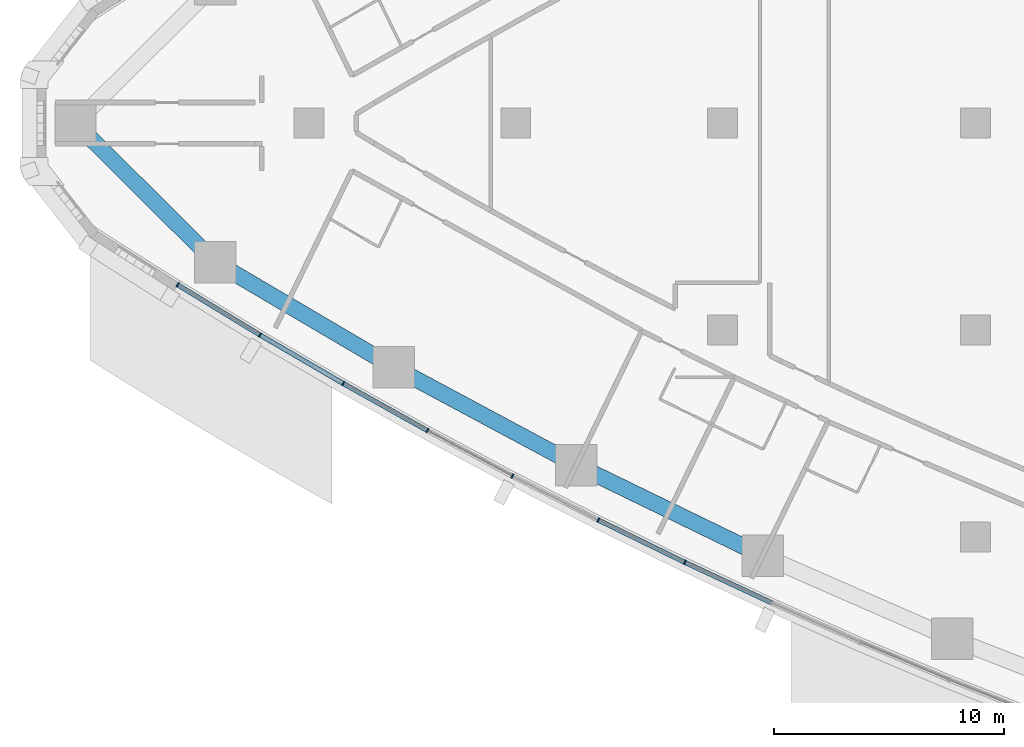
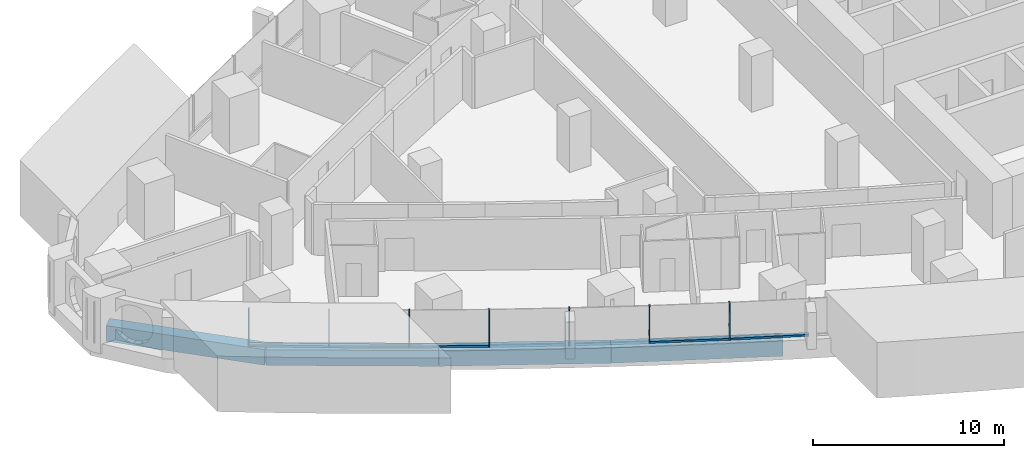
# One storey, part 2 of 19: 12 members, 4 beams, 3 elements without a shape of their own.
"""IFC4 building model written with IfcOpenShell, lengths in metres."""

from ifc_helpers import new_model, si_unit, direction, frame, origin, origin_2d, place, context, subcontext, project, spatial, rectangle, extrude, material, layer, layer_set, material_profile, profile_set, type_object, element, aggregate, save


model = new_model("IFC4")

# Units and contexts
model_context = context("Model", 3, precision=1e-05, world=origin(), true_north=direction((0.0, 1.0)))
body_context = subcontext(model_context, "Body", "Model", "MODEL_VIEW")
ifc_project = project(units=[si_unit("LENGTHUNIT", "METRE"), si_unit("AREAUNIT", "SQUARE_METRE"), si_unit("VOLUMEUNIT", "CUBIC_METRE"), si_unit("PLANEANGLEUNIT", "RADIAN"), si_unit("MASSUNIT", "GRAM", prefix="KILO")], contexts=[model_context])

# Site, building, storey
site_placement = place(None, origin())
site = spatial("IfcSite", under=ifc_project, at=site_placement, CompositionType="ELEMENT")
building_placement = place(site_placement, origin())
building = spatial("IfcBuilding", under=site, at=building_placement, Name="Ostrand Prow Hotel Tower", CompositionType="ELEMENT")
storey_placement = place(building_placement, frame((0.0, 0.0, 43.14990234375)))
storey = spatial("IfcBuildingStorey", under=building, at=storey_placement, Name="L08", CompositionType="ELEMENT", Elevation=43.14990234375)

# Beams
ifc_material_1 = material(Name="Concrete C80/95", Category="concrete")
ifc_material_profile_1 = material_profile(ifc_material_1, rectangle(XDim=0.699951171875, YDim=1.0, at=origin_2d()), Name="RC 700x1000")
ifc_profile_set_1 = profile_set([ifc_material_profile_1], Name="Concrete C80/95")
beam_type = type_object("IfcBeamType", Name="Edge beam 700x1000 C80/95", PredefinedType="SPANDREL", material=ifc_profile_set_1)
beam_1_placement = place(storey_placement, frame((5.848388671875, 0.0, -0.7998046875), z_axis=(0.709211674915, -0.70499560294, 0.0), x_axis=(0.70499560294, 0.709211674915, 0.0)))
element("IfcBeam", 1, at=beam_1_placement, inside=storey, type_object=beam_type, Name="Edge beam P-S1", PredefinedType="SPANDREL", context=body_context, shape_type="SweptSolid", body=[
    extrude(rectangle(XDim=0.699951171875, YDim=1.0, at=origin_2d()), origin(), (0.0, 0.0, 1.0), 8.5703125),
])
beam_2_placement = place(storey_placement, frame((11.926513671875, -6.0419921875, -0.7998046875), z_axis=(0.861725230108, -0.507375233722, 0.0), x_axis=(0.507375233722, 0.861725230108, 0.0)))
element("IfcBeam", 2, at=beam_2_placement, inside=storey, type_object=beam_type, Name="Edge beam S1-S2", PredefinedType="SPANDREL", context=body_context, shape_type="SweptSolid", body=[
    extrude(rectangle(XDim=0.699951171875, YDim=1.0, at=origin_2d()), origin(), (0.0, 0.0, 1.0), 9.012451171875),
])
beam_3_placement = place(storey_placement, frame((19.69287109375, -10.61474609375, -0.7998046875), z_axis=(0.881270074696, -0.472613008122, 0.0), x_axis=(0.472613008122, 0.881270074696, 0.0)))
element("IfcBeam", 3, at=beam_3_placement, inside=storey, type_object=beam_type, Name="Edge beam S2-S3", PredefinedType="SPANDREL", context=body_context, shape_type="SweptSolid", body=[
    extrude(rectangle(XDim=0.699951171875, YDim=1.0, at=origin_2d()), origin(), (0.0, 0.0, 1.0), 9.0126953125),
])
beam_4_placement = place(storey_placement, frame((27.635498046875, -14.874267578125, -0.7998046875), z_axis=(0.899382499202, -0.437162578601, 0.0), x_axis=(0.437162578601, 0.899382499202, 0.0)))
element("IfcBeam", 4, at=beam_4_placement, inside=storey, type_object=beam_type, Name="Edge beam S3-S4", PredefinedType="SPANDREL", context=body_context, shape_type="SweptSolid", body=[
    extrude(rectangle(XDim=0.699951171875, YDim=1.0, at=origin_2d()), origin(), (0.0, 0.0, 1.0), 9.012451171875),
])

# Curtain wall, members
ifc_material_2 = material(Name="Insulated glass in bronze anodised frame", Category="glass")
ifc_layer = layer(ifc_material_2, 0.199951171875)
ifc_layer_set = layer_set([ifc_layer], Name="Insulated glass in bronze anodised frame")
curtain_wall_type = type_object("IfcCurtainWallType", Name="Strip curtain wall, fritted glass over bronze spandrel", PredefinedType="NOTDEFINED", material=ifc_layer_set)
curtain_wall_1_placement = place(storey_placement, origin())
curtain_wall_1 = element("IfcCurtainWall", 5, at=curtain_wall_1_placement, inside=storey, type_object=curtain_wall_type, Name="CW1 run CWS1", PredefinedType="NOTDEFINED")
ifc_material_3 = material(Name="Bronze anodised aluminium", Category="aluminium")
ifc_material_profile_2 = material_profile(ifc_material_3, rectangle(XDim=0.199951171875, YDim=0.06005859375, at=origin_2d()), Name="Mullion 60x200 bronze anodised aluminium")
ifc_profile_set_2 = profile_set([ifc_material_profile_2], Name="Bronze anodised aluminium")
member_type_1 = type_object("IfcMemberType", Name="Mullion 60x200 bronze anodised aluminium", PredefinedType="MULLION", material=ifc_profile_set_2)
member_1_placement = place(storey_placement, frame((10.29443359375, -7.031494140625, 0.900146484375), z_axis=(0.0, 0.0, 1.0), x_axis=(0.519830761515, 0.854269266322, 0.0)))
member_1 = element("IfcMember", 6, at=member_1_placement, type_object=member_type_1, Name="CW1 mullion 1", PredefinedType="MULLION", context=body_context, shape_type="SweptSolid", body=[
    extrude(rectangle(XDim=0.199951171875, YDim=0.06005859375, at=origin_2d()), origin(), (0.0, 0.0, 1.0), 2.349853515625),
])
member_2_placement = place(storey_placement, frame((13.87744140625, -9.2119140625, 0.900146484375), z_axis=(0.0, 0.0, 1.0), x_axis=(0.50402272292, 0.863690392896, 0.0)))
member_2 = element("IfcMember", 7, at=member_2_placement, type_object=member_type_1, Name="CW1 mullion 2", PredefinedType="MULLION", context=body_context, shape_type="SweptSolid", body=[
    extrude(rectangle(XDim=0.199951171875, YDim=0.06005859375, at=origin_2d()), origin(), (0.0, 0.0, 1.0), 2.349853515625),
])
member_3_placement = place(storey_placement, frame((17.5, -11.325927734375, 0.900146484375), z_axis=(0.0, 0.0, 1.0), x_axis=(0.50402272292, 0.863690392896, 0.0)))
member_3 = element("IfcMember", 8, at=member_3_placement, type_object=member_type_1, Name="CW1 mullion 3", PredefinedType="MULLION", context=body_context, shape_type="SweptSolid", body=[
    extrude(rectangle(XDim=0.199951171875, YDim=0.06005859375, at=origin_2d()), origin(), (0.0, 0.0, 1.0), 2.349853515625),
])

curtain_wall_2_placement = place(storey_placement, origin())
curtain_wall_2 = element("IfcCurtainWall", 9, at=curtain_wall_2_placement, inside=storey, type_object=curtain_wall_type, Name="CW1 run CWS2", PredefinedType="NOTDEFINED")
member_4_placement = place(storey_placement, frame((21.160888671875, -13.372802734375, 0.900146484375), z_axis=(0.0, 0.0, 1.0), x_axis=(0.471899992481, 0.881652083929, 0.0)))
member_4 = element("IfcMember", 10, at=member_4_placement, type_object=member_type_1, Name="CW1 mullion 2", PredefinedType="MULLION", context=body_context, shape_type="SweptSolid", body=[
    extrude(rectangle(XDim=0.199951171875, YDim=0.06005859375, at=origin_2d()), origin(), (0.0, 0.0, 1.0), 2.349853515625),
])
member_5_placement = place(storey_placement, frame((24.858642578125, -15.35205078125, 0.900146484375), z_axis=(0.0, 0.0, 1.0), x_axis=(0.455596179055, 0.890186565631, 0.0)))
member_5 = element("IfcMember", 11, at=member_5_placement, type_object=member_type_1, Name="CW1 mullion 3", PredefinedType="MULLION", context=body_context, shape_type="SweptSolid", body=[
    extrude(rectangle(XDim=0.199951171875, YDim=0.06005859375, at=origin_2d()), origin(), (0.0, 0.0, 1.0), 2.349853515625),
])
member_6_placement = place(storey_placement, frame((28.59228515625, -17.262939453125, 0.900146484375), z_axis=(0.0, 0.0, 1.0), x_axis=(0.455596179055, 0.890186565631, 0.0)))
member_6 = element("IfcMember", 12, at=member_6_placement, type_object=member_type_1, Name="CW1 mullion 4", PredefinedType="MULLION", context=body_context, shape_type="SweptSolid", body=[
    extrude(rectangle(XDim=0.199951171875, YDim=0.06005859375, at=origin_2d()), origin(), (0.0, 0.0, 1.0), 2.349853515625),
])

# Curtain wall, member
curtain_wall_3_placement = place(storey_placement, origin())
curtain_wall_3 = element("IfcCurtainWall", 13, at=curtain_wall_3_placement, inside=storey, type_object=curtain_wall_type, Name="CW1 run CWS3", PredefinedType="NOTDEFINED")
member_7_placement = place(storey_placement, frame((32.360595703125, -19.10498046875, 0.900146484375), z_axis=(0.0, 0.0, 1.0), x_axis=(0.422529678615, 0.906349088757, 0.0)))
member_7 = element("IfcMember", 14, at=member_7_placement, type_object=member_type_1, Name="CW1 mullion 2", PredefinedType="MULLION", context=body_context, shape_type="SweptSolid", body=[
    extrude(rectangle(XDim=0.199951171875, YDim=0.06005859375, at=origin_2d()), origin(), (0.0, 0.0, 1.0), 2.349853515625),
])

# Member
ifc_material_4 = material(Name="Bronze anodised aluminium", Category="aluminium")
ifc_material_profile_3 = material_profile(ifc_material_4, rectangle(XDim=0.199951171875, YDim=0.1201171875, at=origin_2d()), Name="Transom 120x200 bronze anodised aluminium")
ifc_profile_set_3 = profile_set([ifc_material_profile_3], Name="Bronze anodised aluminium")
member_type_2 = type_object("IfcMemberType", Name="Transom 120x200 bronze anodised aluminium", PredefinedType="USERDEFINED", material=ifc_profile_set_3)
member_8_placement = place(storey_placement, frame((10.320068359375, -7.047119140625, 0.960205078125), z_axis=(0.8542612678, -0.519843905741, 0.0), x_axis=(0.519843905741, 0.8542612678, 0.0)))
member_8 = element("IfcMember", 15, at=member_8_placement, type_object=member_type_2, Name="CW1 transom 1.1", ObjectType="TRANSOM", PredefinedType="USERDEFINED", context=body_context, shape_type="SweptSolid", body=[
    extrude(rectangle(XDim=0.199951171875, YDim=0.1201171875, at=origin_2d()), origin(), (0.0, 0.0, 1.0), 4.13427734375),
])

member_9_placement = place(storey_placement, frame((13.9033203125, -9.22705078125, 0.960205078125), z_axis=(0.863697501622, -0.504010541251, 0.0), x_axis=(0.504010541251, 0.863697501622, 0.0)))
member_9 = element("IfcMember", 16, at=member_9_placement, type_object=member_type_2, Name="CW1 transom 2.1", ObjectType="TRANSOM", PredefinedType="USERDEFINED", context=body_context, shape_type="SweptSolid", body=[
    extrude(rectangle(XDim=0.199951171875, YDim=0.1201171875, at=origin_2d()), origin(), (0.0, 0.0, 1.0), 4.13427734375),
])

aggregate(curtain_wall_1, [member_1, member_2, member_3, member_8, member_9])

member_10_placement = place(storey_placement, frame((17.526123046875, -11.340576171875, 0.960205078125), z_axis=(0.872842137405, -0.488002667175, 0.0), x_axis=(0.488002667175, 0.872842137405, 0.0)))
member_10 = element("IfcMember", 17, at=member_10_placement, type_object=member_type_2, Name="CW1 transom 1.1", ObjectType="TRANSOM", PredefinedType="USERDEFINED", context=body_context, shape_type="SweptSolid", body=[
    extrude(rectangle(XDim=0.199951171875, YDim=0.1201171875, at=origin_2d()), origin(), (0.0, 0.0, 1.0), 4.13427734375),
])

aggregate(curtain_wall_2, [member_4, member_5, member_6, member_10])

member_11_placement = place(storey_placement, frame((28.619384765625, -17.276123046875, 0.960205078125), z_axis=(0.898395234758, -0.439187889364, 0.0), x_axis=(0.439187889364, 0.898395234758, 0.0)))
member_11 = element("IfcMember", 18, at=member_11_placement, type_object=member_type_2, Name="CW1 transom 1.1", ObjectType="TRANSOM", PredefinedType="USERDEFINED", context=body_context, shape_type="SweptSolid", body=[
    extrude(rectangle(XDim=0.199951171875, YDim=0.1201171875, at=origin_2d()), origin(), (0.0, 0.0, 1.0), 4.13427734375),
])

member_12_placement = place(storey_placement, frame((32.3876953125, -19.117431640625, 0.960205078125), z_axis=(0.906338458793, -0.422552479714, 0.0), x_axis=(0.422552479714, 0.906338458793, 0.0)))
member_12 = element("IfcMember", 19, at=member_12_placement, type_object=member_type_2, Name="CW1 transom 2.1", ObjectType="TRANSOM", PredefinedType="USERDEFINED", context=body_context, shape_type="SweptSolid", body=[
    extrude(rectangle(XDim=0.199951171875, YDim=0.1201171875, at=origin_2d()), origin(), (0.0, 0.0, 1.0), 4.134521484375),
])

aggregate(curtain_wall_3, [member_7, member_11, member_12])

save(model, "model.ifc")
